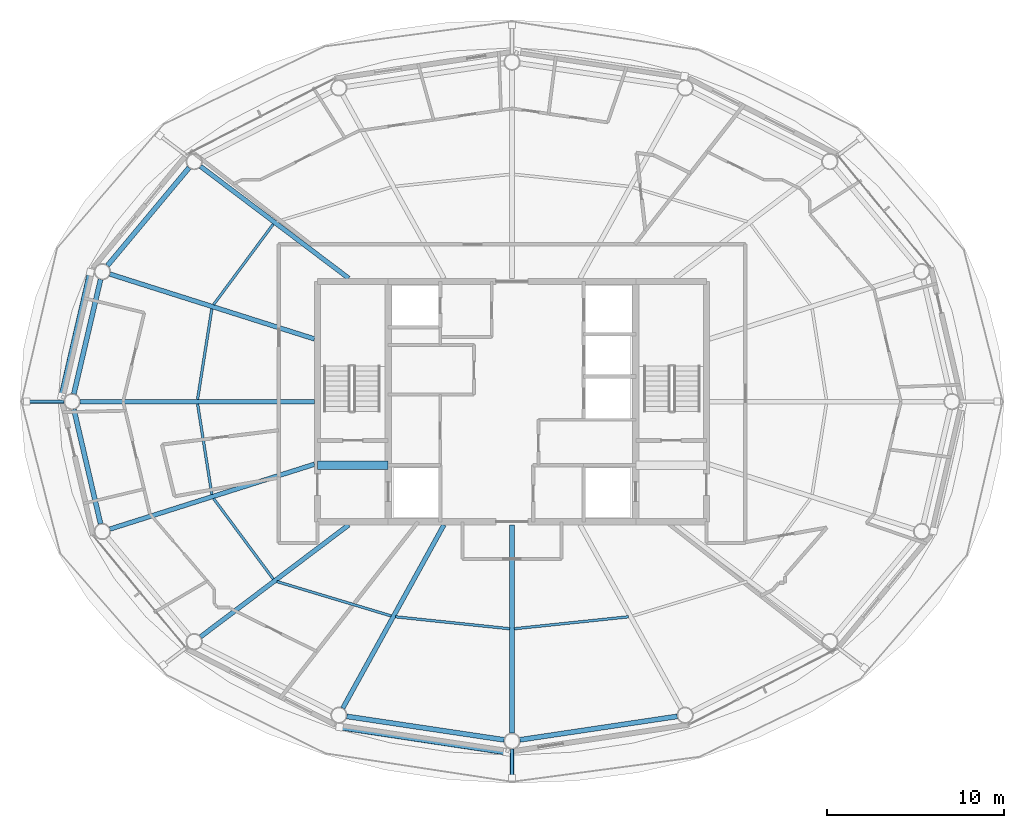
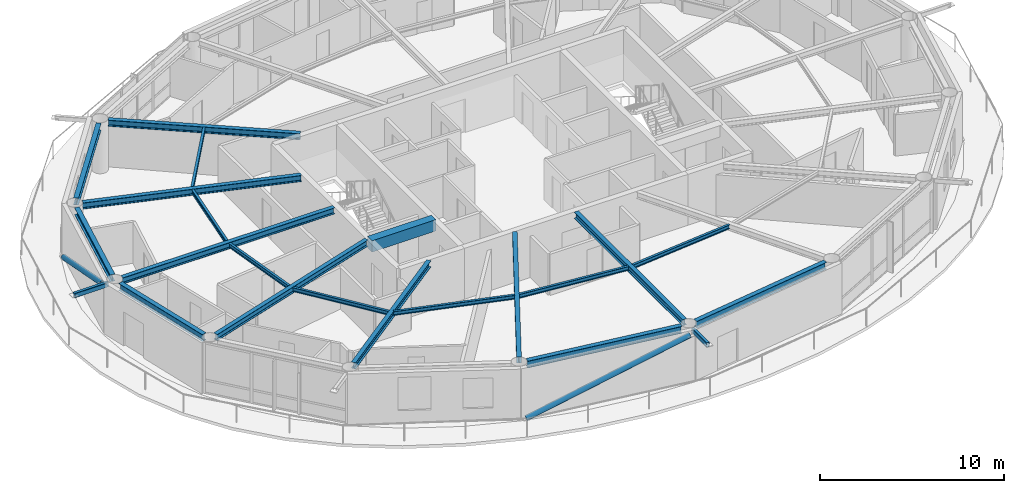
# One storey, part 4 of 22: 20 beams, 4 members.
"""IFC4 building model written with IfcOpenShell, lengths in metres."""

from ifc_helpers import new_model, si_unit, direction, frame, origin, origin_2d, place, context, subcontext, project, spatial, rectangle, hollow_rectangle, hollow_circle, i_section, extrude, material, material_profile, profile_set, type_object, element, save


model = new_model("IFC4")

# Units and contexts
model_context = context("Model", 3, precision=1e-05, world=origin(), true_north=direction((0.0, 1.0)))
body_context = subcontext(model_context, "Body", "Model", "MODEL_VIEW")
ifc_project = project(units=[si_unit("LENGTHUNIT", "METRE"), si_unit("AREAUNIT", "SQUARE_METRE"), si_unit("VOLUMEUNIT", "CUBIC_METRE"), si_unit("PLANEANGLEUNIT", "RADIAN"), si_unit("MASSUNIT", "GRAM", prefix="KILO")], contexts=[model_context])

# Site, building, storey
site_placement = place(None, origin())
site = spatial("IfcSite", under=ifc_project, at=site_placement, CompositionType="ELEMENT")
building_placement = place(site_placement, origin())
building = spatial("IfcBuilding", under=site, at=building_placement, Name="Sarneth Arch Tower", CompositionType="ELEMENT")
storey_placement = place(building_placement, frame((0.0, 0.0, 301.800048828125)))
storey = spatial("IfcBuildingStorey", under=building, at=storey_placement, Name="L78", CompositionType="ELEMENT", Elevation=301.800048828125)

# Beams
ifc_material_1 = material(Name="Steel S355", Category="steel")
ifc_material_profile_1 = material_profile(ifc_material_1, i_section(OverallWidth=0.14794921875, OverallDepth=0.26611328125, WebThickness=0.007568359375, FlangeThickness=0.012939453125, FilletRadius=0.012939453125, at=origin_2d()), Name="W250x44.8")
ifc_profile_set_1 = profile_set([ifc_material_profile_1], Name="Steel S355")
beam_type_1 = type_object("IfcBeamType", Name="BM-JOIST-250", PredefinedType="JOIST", material=ifc_profile_set_1)
beam_1_placement = place(storey_placement, frame((34.4970703125, 52.03564453125, 3.237060546875), z_axis=(-0.595712519616, -0.803197730309, 0.0), x_axis=(0.803197730309, -0.595712519616, 0.0)))
element("IfcBeam", 1, at=beam_1_placement, inside=storey, type_object=beam_type_1, Name="L78 Secondary floor joist 07", PredefinedType="JOIST", context=body_context, shape_type="SweptSolid", body=[
    extrude(i_section(OverallWidth=0.14794921875, OverallDepth=0.26611328125, WebThickness=0.007568359375, FlangeThickness=0.012939453125, FilletRadius=0.012939453125, at=origin_2d()), origin(), (0.0, 0.0, 1.0), 5.669189453125),
])
for number, where, z_axis, x_axis, name in (
    (2, (31.0224609375, 47.249267578125, 3.237060546875), (-0.155556266572, -0.987827033407, 0.0), (0.987827033407, -0.155556266572, 0.0), "L78 Secondary floor joist 08"),
    (3, (30.216064453125, 41.87158203125, 3.237060546875), (0.155556266572, -0.987827033407, 0.0), (0.987827033407, 0.155556266572, 0.0), "L78 Secondary floor joist 09"),
):
    element("IfcBeam", number, at=place(storey_placement, frame(where, z_axis=z_axis, x_axis=x_axis)), inside=storey, type_object=beam_type_1, Name=name, PredefinedType="JOIST", context=body_context, shape_type="SweptSolid", body=[
        extrude(i_section(OverallWidth=0.14794921875, OverallDepth=0.26611328125, WebThickness=0.007568359375, FlangeThickness=0.012939453125, FilletRadius=0.012939453125, at=origin_2d()), origin(), (0.0, 0.0, 1.0), 5.183837890625),
    ])
beam_2_placement = place(storey_placement, frame((31.119873046875, 36.517822265625, 3.237060546875), z_axis=(0.595712519616, -0.803197730309, 0.0), x_axis=(0.803197730309, 0.595712519616, 0.0)))
element("IfcBeam", 4, at=beam_2_placement, inside=storey, type_object=beam_type_1, Name="L78 Secondary floor joist 10", PredefinedType="JOIST", context=body_context, shape_type="SweptSolid", body=[
    extrude(i_section(OverallWidth=0.14794921875, OverallDepth=0.26611328125, WebThickness=0.007568359375, FlangeThickness=0.012939453125, FilletRadius=0.012939453125, at=origin_2d()), origin(), (0.0, 0.0, 1.0), 5.669189453125),
])
beam_3_placement = place(storey_placement, frame((34.698974609375, 31.822509765625, 3.237060546875), z_axis=(0.95760703602, -0.288077705776, 0.0), x_axis=(0.288077705776, 0.95760703602, 0.0)))
element("IfcBeam", 5, at=beam_3_placement, inside=storey, type_object=beam_type_1, Name="L78 Secondary floor joist 11", PredefinedType="JOIST", context=body_context, shape_type="SweptSolid", body=[
    extrude(i_section(OverallWidth=0.14794921875, OverallDepth=0.26611328125, WebThickness=0.007568359375, FlangeThickness=0.012939453125, FilletRadius=0.012939453125, at=origin_2d()), origin(), (0.0, 0.0, 1.0), 6.7509765625),
])
for number, where, z_axis, x_axis, name in (
    (6, (41.417724609375, 29.82666015625, 3.237060546875), (0.994564879221, -0.104118687178, 0.0), (0.104118687178, 0.994564879221, 0.0), "L78 Secondary floor joist 12"),
    (7, (48.12939453125, 29.151123046875, 3.237060546875), (0.994564879221, 0.104118687178, 0.0), (-0.104118687178, 0.994564879221, 0.0), "L78 Secondary floor joist 13"),
):
    element("IfcBeam", number, at=place(storey_placement, frame(where, z_axis=z_axis, x_axis=x_axis)), inside=storey, type_object=beam_type_1, Name=name, PredefinedType="JOIST", context=body_context, shape_type="SweptSolid", body=[
        extrude(i_section(OverallWidth=0.14794921875, OverallDepth=0.26611328125, WebThickness=0.007568359375, FlangeThickness=0.012939453125, FilletRadius=0.012939453125, at=origin_2d()), origin(), (0.0, 0.0, 1.0), 6.488037109375),
    ])
ifc_material_2 = material(Name="Concrete C50/60", Category="concrete")
ifc_material_profile_2 = material_profile(ifc_material_2, rectangle(XDim=0.5, YDim=0.75, at=origin_2d()), Name="RC-500x750")
ifc_profile_set_2 = profile_set([ifc_material_profile_2], Name="Concrete C50/60")
beam_type_2 = type_object("IfcBeamType", Name="BM-LINTEL-RC", PredefinedType="LINTEL", material=ifc_profile_set_2)
beam_4_placement = place(storey_placement, frame((37.0, 38.39990234375, 2.994873046875), z_axis=(1.0, 0.0, 0.0), x_axis=(0.0, 1.0, 0.0)))
element("IfcBeam", 8, at=beam_4_placement, inside=storey, type_object=beam_type_2, Name="L78 Core coupling lintel W", PredefinedType="LINTEL", context=body_context, shape_type="SweptSolid", body=[
    extrude(rectangle(XDim=0.5, YDim=0.75, at=origin_2d()), origin(), (0.0, 0.0, 1.0), 4.0),
])
ifc_material_3 = material(Name="Steel S355", Category="steel")
ifc_material_profile_3 = material_profile(ifc_material_3, i_section(OverallWidth=0.260009765625, OverallDepth=0.4150390625, WebThickness=0.010009765625, FlangeThickness=0.016845703125, FilletRadius=0.01611328125, at=origin_2d()), Name="W410x100")
ifc_profile_set_3 = profile_set([ifc_material_profile_3], Name="Steel S355")
beam_type_3 = type_object("IfcBeamType", Name="BM-RAD-410A", PredefinedType="BEAM", material=ifc_profile_set_3)
beam_5_placement = place(storey_placement, frame((38.76513671875, 48.97509765625, 3.162353515625), z_axis=(-0.797981595352, 0.602681817777, 0.0), x_axis=(-0.602681817777, -0.797981595352, 0.0)))
element("IfcBeam", 9, at=beam_5_placement, inside=storey, type_object=beam_type_3, Name="L78 Radial floor girder 07", PredefinedType="BEAM", context=body_context, shape_type="SweptSolid", body=[
    extrude(i_section(OverallWidth=0.260009765625, OverallDepth=0.4150390625, WebThickness=0.010009765625, FlangeThickness=0.016845703125, FilletRadius=0.01611328125, at=origin_2d()), origin(), (0.0, 0.0, 1.0), 10.503173828125),
])
beam_6_placement = place(storey_placement, frame((36.824951171875, 45.5439453125, 3.162353515625), z_axis=(-0.95321762769, 0.302284889237, 0.0), x_axis=(-0.302284889237, -0.95321762769, 0.0)))
element("IfcBeam", 10, at=beam_6_placement, inside=storey, type_object=beam_type_3, Name="L78 Radial floor girder 08", PredefinedType="BEAM", context=body_context, shape_type="SweptSolid", body=[
    extrude(i_section(OverallWidth=0.260009765625, OverallDepth=0.4150390625, WebThickness=0.010009765625, FlangeThickness=0.016845703125, FilletRadius=0.01611328125, at=origin_2d()), origin(), (0.0, 0.0, 1.0), 12.132568359375),
])
beam_7_placement = place(storey_placement, frame((36.824951171875, 42.0, 3.162353515625), z_axis=(-1.0, 0.0, 0.0), x_axis=(0.0, -1.0, 0.0)))
element("IfcBeam", 11, at=beam_7_placement, inside=storey, type_object=beam_type_3, Name="L78 Radial floor girder 09", PredefinedType="BEAM", context=body_context, shape_type="SweptSolid", body=[
    extrude(i_section(OverallWidth=0.260009765625, OverallDepth=0.4150390625, WebThickness=0.010009765625, FlangeThickness=0.016845703125, FilletRadius=0.01611328125, at=origin_2d()), origin(), (0.0, 0.0, 1.0), 13.258056640625),
])
beam_8_placement = place(storey_placement, frame((36.824951171875, 38.4560546875, 3.162353515625), z_axis=(-0.95321762769, -0.302284889237, 0.0), x_axis=(0.302284889237, -0.95321762769, 0.0)))
element("IfcBeam", 12, at=beam_8_placement, inside=storey, type_object=beam_type_3, Name="L78 Radial floor girder 10", PredefinedType="BEAM", context=body_context, shape_type="SweptSolid", body=[
    extrude(i_section(OverallWidth=0.260009765625, OverallDepth=0.4150390625, WebThickness=0.010009765625, FlangeThickness=0.016845703125, FilletRadius=0.01611328125, at=origin_2d()), origin(), (0.0, 0.0, 1.0), 12.132568359375),
])
beam_9_placement = place(storey_placement, frame((38.76513671875, 35.02490234375, 3.162353515625), z_axis=(-0.797981595352, -0.602681817777, 0.0), x_axis=(0.602681817777, -0.797981595352, 0.0)))
element("IfcBeam", 13, at=beam_9_placement, inside=storey, type_object=beam_type_3, Name="L78 Radial floor girder 11", PredefinedType="BEAM", context=body_context, shape_type="SweptSolid", body=[
    extrude(i_section(OverallWidth=0.260009765625, OverallDepth=0.4150390625, WebThickness=0.010009765625, FlangeThickness=0.016845703125, FilletRadius=0.01611328125, at=origin_2d()), origin(), (0.0, 0.0, 1.0), 10.503173828125),
])
beam_10_placement = place(storey_placement, frame((44.150146484375, 35.02490234375, 3.162353515625), z_axis=(-0.483229367873, -0.875493790969, 0.0), x_axis=(0.875493790969, -0.483229367873, 0.0)))
element("IfcBeam", 14, at=beam_10_placement, inside=storey, type_object=beam_type_3, Name="L78 Radial floor girder 12", PredefinedType="BEAM", context=body_context, shape_type="SweptSolid", body=[
    extrude(i_section(OverallWidth=0.260009765625, OverallDepth=0.4150390625, WebThickness=0.010009765625, FlangeThickness=0.016845703125, FilletRadius=0.01611328125, at=origin_2d()), origin(), (0.0, 0.0, 1.0), 11.843994140625),
])
beam_11_placement = place(storey_placement, frame((48.0, 35.02490234375, 3.162353515625), z_axis=(0.0, -1.0, 0.0), x_axis=(1.0, 0.0, 0.0)))
element("IfcBeam", 15, at=beam_11_placement, inside=storey, type_object=beam_type_3, Name="L78 Radial floor girder 13", PredefinedType="BEAM", context=body_context, shape_type="SweptSolid", body=[
    extrude(i_section(OverallWidth=0.260009765625, OverallDepth=0.4150390625, WebThickness=0.010009765625, FlangeThickness=0.016845703125, FilletRadius=0.01611328125, at=origin_2d()), origin(), (0.0, 0.0, 1.0), 11.77490234375),
])
ifc_material_4 = material(Name="Steel S355", Category="steel")
ifc_material_profile_4 = material_profile(ifc_material_4, i_section(OverallWidth=0.280029296875, OverallDepth=0.462890625, WebThickness=0.0107421875, FlangeThickness=0.017333984375, FilletRadius=0.01806640625, at=origin_2d()), Name="W460x113")
ifc_profile_set_4 = profile_set([ifc_material_profile_4], Name="Steel S355")
beam_type_4 = type_object("IfcBeamType", Name="BM-RAD-460A", PredefinedType="BEAM", material=ifc_profile_set_4)
beam_12_placement = place(storey_placement, frame((29.736572265625, 55.230712890625, 3.138427734375), z_axis=(-0.640390876881, -0.768049168222, 0.0), x_axis=(0.768049168222, -0.640390876881, 0.0)))
element("IfcBeam", 16, at=beam_12_placement, inside=storey, type_object=beam_type_4, Name="L78 Perimeter spandrel beam 07", PredefinedType="BEAM", context=body_context, shape_type="SweptSolid", body=[
    extrude(i_section(OverallWidth=0.280029296875, OverallDepth=0.462890625, WebThickness=0.0107421875, FlangeThickness=0.017333984375, FilletRadius=0.01806640625, at=origin_2d()), origin(), (0.0, 0.0, 1.0), 7.2099609375),
])
for number, where, z_axis, x_axis, name in (
    (17, (24.72900390625, 48.9091796875, 3.138427734375), (-0.227247037844, -0.973837144389, 0.0), (0.973837144389, -0.227247037844, 0.0), "L78 Perimeter spandrel beam 08"),
    (18, (23.218994140625, 41.561767578125, 3.138427734375), (0.227247037844, -0.973837144389, 0.0), (0.973837144389, 0.227247037844, 0.0), "L78 Perimeter spandrel beam 09"),
):
    element("IfcBeam", number, at=place(storey_placement, frame(where, z_axis=z_axis, x_axis=x_axis)), inside=storey, type_object=beam_type_4, Name=name, PredefinedType="BEAM", context=body_context, shape_type="SweptSolid", body=[
        extrude(i_section(OverallWidth=0.280029296875, OverallDepth=0.462890625, WebThickness=0.0107421875, FlangeThickness=0.017333984375, FilletRadius=0.01806640625, at=origin_2d()), origin(), (0.0, 0.0, 1.0), 6.644775390625),
    ])
for number, where, z_axis, x_axis, name in (
    (19, (38.654296875, 24.195068359375, 3.138427734375), (0.989041765772, -0.147635990052, 0.0), (0.147635990052, 0.989041765772, 0.0), "L78 Perimeter spandrel beam 12"),
    (20, (48.445068359375, 22.866455078125, 3.138427734375), (0.989041765772, 0.147635990052, 0.0), (-0.147635990052, 0.989041765772, 0.0), "L78 Perimeter spandrel beam 13"),
):
    element("IfcBeam", number, at=place(storey_placement, frame(where, z_axis=z_axis, x_axis=x_axis)), inside=storey, type_object=beam_type_4, Name=name, PredefinedType="BEAM", context=body_context, shape_type="SweptSolid", body=[
        extrude(i_section(OverallWidth=0.280029296875, OverallDepth=0.462890625, WebThickness=0.0107421875, FlangeThickness=0.017333984375, FilletRadius=0.01806640625, at=origin_2d()), origin(), (0.0, 0.0, 1.0), 8.999267578125),
    ])

# Members
ifc_material_5 = material(Name="Steel S355", Category="steel")
ifc_material_profile_5 = material_profile(ifc_material_5, hollow_rectangle(XDim=0.199951171875, YDim=0.300048828125, WallThickness=0.012451171875, InnerFilletRadius=0.018798828125, OuterFilletRadius=0.03125, at=origin_2d()), Name="RHS300x200x12.5")
ifc_profile_set_5 = profile_set([ifc_material_profile_5], Name="Steel S355")
member_type_1 = type_object("IfcMemberType", Name="MEM-CANT-STRUT", PredefinedType="STRUT", material=ifc_profile_set_5)
member_1_placement = place(storey_placement, frame((22.666748046875, 42.0, 3.2099609375), z_axis=(-1.0, 0.0, 0.0), x_axis=(0.0, -1.0, 0.0)))
element("IfcMember", 21, at=member_1_placement, inside=storey, type_object=member_type_1, Name="L78 Balcony cantilever bracket 09", PredefinedType="STRUT", context=body_context, shape_type="SweptSolid", body=[
    extrude(hollow_rectangle(XDim=0.199951171875, YDim=0.300048828125, WallThickness=0.012451171875, InnerFilletRadius=0.018798828125, OuterFilletRadius=0.03125, at=origin_2d()), origin(), (0.0, 0.0, 1.0), 2.11767578125),
])
member_2_placement = place(storey_placement, frame((48.0, 22.35009765625, 3.2099609375), z_axis=(0.0, -1.0, 0.0), x_axis=(1.0, 0.0, 0.0)))
element("IfcMember", 22, at=member_2_placement, inside=storey, type_object=member_type_1, Name="L78 Balcony cantilever bracket 13", PredefinedType="STRUT", context=body_context, shape_type="SweptSolid", body=[
    extrude(hollow_rectangle(XDim=0.199951171875, YDim=0.300048828125, WallThickness=0.012451171875, InnerFilletRadius=0.018798828125, OuterFilletRadius=0.03125, at=origin_2d()), origin(), (0.0, 0.0, 1.0), 1.63232421875),
])
ifc_material_6 = material(Name="Steel S355", Category="steel")
ifc_material_profile_6 = material_profile(ifc_material_6, hollow_circle(Radius=0.162109375, WallThickness=0.012451171875, at=origin_2d()), Name="CHS324x12.5")
ifc_profile_set_6 = profile_set([ifc_material_profile_6], Name="Steel S355")
member_type_2 = type_object("IfcMemberType", Name="MEM-DIAG-BR3", PredefinedType="BRACE", material=ifc_profile_set_6)
member_3_placement = place(storey_placement, frame((24.148193359375, 49.3154296875, 0.02001953125), z_axis=(-0.207345906073, -0.896276435764, 0.392041102347), x_axis=(0.974268900284, -0.225388797281, 0.0)))
element("IfcMember", 23, at=member_3_placement, inside=storey, type_object=member_type_2, Name="L78 Perimeter frame diagonal 08", PredefinedType="BRACE", context=body_context, shape_type="SweptSolid", body=[
    extrude(hollow_circle(Radius=0.162109375, WallThickness=0.012451171875, at=origin_2d()), origin(), (0.0, 0.0, 1.0), 7.8359375),
])
member_4_placement = place(storey_placement, frame((38.245849609375, 23.588623046875, 0.02001953125), z_axis=(0.941478053537, -0.141763681302, 0.305813886821), x_axis=(0.148897148305, 0.988852688335, 0.0)))
element("IfcMember", 24, at=member_4_placement, inside=storey, type_object=member_type_2, Name="L78 Perimeter frame diagonal 12", PredefinedType="BRACE", context=body_context, shape_type="SweptSolid", body=[
    extrude(hollow_circle(Radius=0.162109375, WallThickness=0.012451171875, at=origin_2d()), origin(), (0.0, 0.0, 1.0), 10.04541015625),
])

save(model, "model.ifc")
